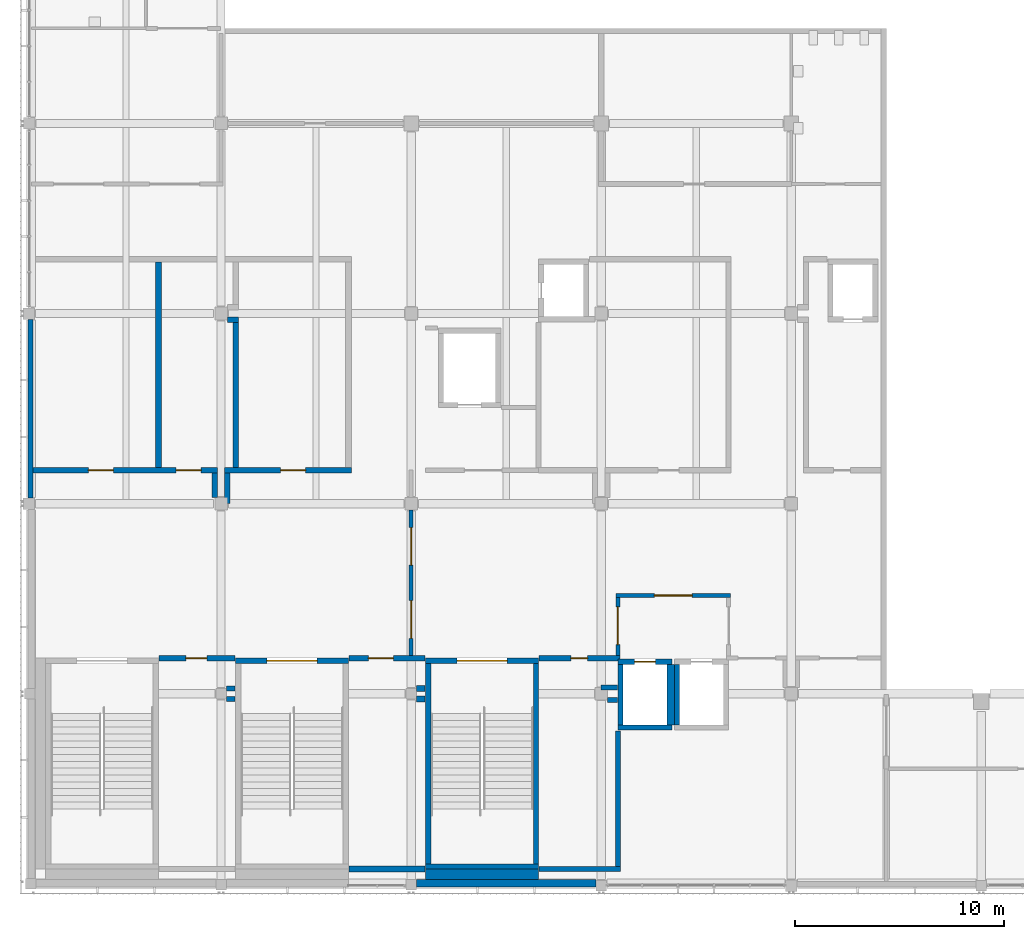
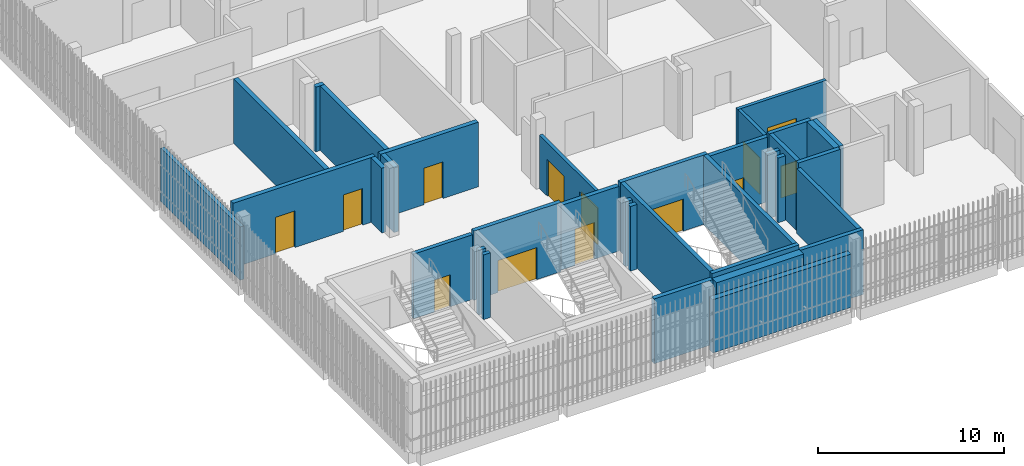
# One storey, part 66 of 124: 35 walls, 13 doors, 13 openings.
"""IFC4 building model written with IfcOpenShell, lengths in metres."""

import ifcopenshell
import ifcopenshell.guid

model = None  # the IFC model being written
_history = None  # IfcOwnerHistory: only IFC2X3 demands one
_inside = {}  # id of a spatial element -> (the spatial element, [elements in it])
_under = {}  # id of a project, library or spatial element -> (it, [spatial elements below it])
_declared = {}  # id of a project -> (the project, [libraries it declares])
_typed = {}  # id of a type object -> (the type object, [elements of that type])
_made_of = {}  # id of a material, layer set ... -> (it, [elements and type objects made of it])


def new_model(schema):
    """Start an empty IFC model of exactly this schema.

    Asked for "IFC4X3", IfcOpenShell would pick the latest addendum, in which some entities
    have other attributes; the version numbers below select the first issue.
    IFC2X3 requires an IfcOwnerHistory on every rooted entity: one is made here for all.
    """
    global model, _history
    if schema == "IFC4X3":
        model = ifcopenshell.file(schema_version=(4, 3, 0, 0))
    else:
        model = ifcopenshell.file(schema=schema)
    _inside.clear()
    _under.clear()
    _declared.clear()
    _typed.clear()
    _made_of.clear()
    _history = None
    if model.schema == "IFC2X3":
        org = make("IfcOrganization", Name="unknown")
        user = make(
            "IfcPersonAndOrganization",
            ThePerson=make("IfcPerson", FamilyName="unknown"),
            TheOrganization=org,
        )
        app = make(
            "IfcApplication",
            ApplicationDeveloper=org,
            Version="unknown",
            ApplicationFullName="unknown",
            ApplicationIdentifier="unknown",
        )
        _history = make(
            "IfcOwnerHistory",
            OwningUser=user,
            OwningApplication=app,
            ChangeAction="ADDED",
            CreationDate=0,
        )
    return model


def make(cls, **values):
    """One entity of the class cls with the attributes given. An attribute that is None is left unset."""
    return model.create_entity(
        cls, **{name: value for name, value in values.items() if value is not None}
    )


def rooted(cls, **values):
    """An entity with a GlobalId (a new one), such as an element, a storey or a relation."""
    return make(cls, GlobalId=ifcopenshell.guid.new(), OwnerHistory=_history, **values)


def si_unit(unit_type, name, prefix=None):
    """IfcSIUnit, for example si_unit("LENGTHUNIT", "METRE", prefix="MILLI")."""
    return make("IfcSIUnit", UnitType=unit_type, Prefix=prefix, Name=name)


def assignment(units):
    """IfcUnitAssignment: the units of a project."""
    return None if units is None else make("IfcUnitAssignment", Units=units)


def point(xyz):
    """IfcCartesianPoint."""
    return None if xyz is None else make("IfcCartesianPoint", Coordinates=xyz)


def direction(xyz):
    """IfcDirection."""
    return None if xyz is None else make("IfcDirection", DirectionRatios=xyz)


def frame(location, z_axis=None, x_axis=None):
    """IfcAxis2Placement3D, a coordinate frame: its origin and axes. An axis left out is left unset."""
    return make(
        "IfcAxis2Placement3D",
        Location=point(location),
        Axis=direction(z_axis),
        RefDirection=direction(x_axis),
    )


def frame_2d(location, x_axis=None):
    """IfcAxis2Placement2D, a coordinate frame in the plane: its origin and x axis."""
    return make(
        "IfcAxis2Placement2D", Location=point(location), RefDirection=direction(x_axis)
    )


def origin():
    """The frame at (0, 0, 0) with its axes left unset."""
    return frame((0.0, 0.0, 0.0))


def place(relative_to, where):
    """IfcLocalPlacement: puts the frame where relative to a parent placement (None: the world)."""
    return make(
        "IfcLocalPlacement", PlacementRelTo=relative_to, RelativePlacement=where
    )


def context(
    kind, dimensions, precision=None, world=None, true_north=None, identifier=None
):
    """IfcGeometricRepresentationContext, for example the 3D "Model" context."""
    return make(
        "IfcGeometricRepresentationContext",
        ContextIdentifier=identifier,
        ContextType=kind,
        CoordinateSpaceDimension=dimensions,
        Precision=precision,
        WorldCoordinateSystem=world,
        TrueNorth=true_north,
    )


def subcontext(parent, identifier, kind, view, scale=None):
    """IfcGeometricRepresentationSubContext, for example "Body" below "Model"."""
    return make(
        "IfcGeometricRepresentationSubContext",
        ContextIdentifier=identifier,
        ContextType=kind,
        ParentContext=parent,
        TargetScale=scale,
        TargetView=view,
    )


def project(units=None, contexts=None):
    """IfcProject with its units and contexts."""
    return rooted(
        "IfcProject",
        Name="project",
        RepresentationContexts=contexts,
        UnitsInContext=assignment(units),
    )


def spatial(cls, under=None, at=None, **own):
    """A site, building, storey or space (cls), placed at a placement, below another one or the project."""
    s = rooted(cls, ObjectPlacement=at, **own)
    if under is not None:
        _under.setdefault(under.id(), (under, []))[1].append(s)
    return s


def profile(cls, at=None, kind="AREA", **sizes):
    """A parametric profile (cls). Its sizes go by their IFC names, for example OverallWidth=200.0."""
    return make(cls, ProfileType=kind, Position=at, **sizes)


def rectangle(**sizes):
    """IfcRectangleProfileDef."""
    return profile("IfcRectangleProfileDef", **sizes)


def extrude(swept, where, along, depth):
    """IfcExtrudedAreaSolid: the profile swept, set in the frame where, extruded along a direction by depth."""
    return make(
        "IfcExtrudedAreaSolid",
        SweptArea=swept,
        Position=where,
        ExtrudedDirection=direction(along),
        Depth=depth,
    )


def shape(context_of_items, identifier, shape_type, items):
    """IfcShapeRepresentation: the items that make up one representation, for example the "Body"."""
    return make(
        "IfcShapeRepresentation",
        ContextOfItems=context_of_items,
        RepresentationIdentifier=identifier,
        RepresentationType=shape_type,
        Items=items,
    )


def material(Name=None, Category=None):
    """IfcMaterial."""
    return make("IfcMaterial", Name=Name, Category=Category)


def layer(
    of_material, thickness, ventilated=None, Name=None, Category=None, Priority=None
):
    """IfcMaterialLayer: one layer of a wall or slab, of a material (None: an air gap)."""
    return make(
        "IfcMaterialLayer",
        Material=of_material,
        LayerThickness=thickness,
        IsVentilated=ventilated,
        Name=Name,
        Category=Category,
        Priority=Priority,
    )


def layer_set(layers, Name=None):
    """IfcMaterialLayerSet."""
    return make("IfcMaterialLayerSet", MaterialLayers=layers, LayerSetName=Name)


def made_of(thing, what):
    """Note that an element or type object is made of a material, layer set ...; save() writes the relation."""
    if what is not None:
        _made_of.setdefault(what.id(), (what, []))[1].append(thing)
    return thing


def type_object(cls, material=None, **own):
    """A type object (cls), such as IfcWallType, which elements share."""
    return made_of(rooted(cls, **own), material)


def element(
    cls,
    number,
    at=None,
    inside=None,
    cuts=None,
    type_object=None,
    material=None,
    context=None,
    identifier="Body",
    shape_type=None,
    held_by="IfcProductDefinitionShape",
    body=None,
    shapes=None,
    **own,
):
    """One element of the class cls, such as IfcWall. Its Tag is "e" and its number.

    at: its placement. inside: the storey or other place that contains it. cuts: it is an
    opening in that element (IfcRelVoidsElement). A single representation is given by context,
    identifier, shape_type and body (its items); several are given by shapes. held_by: the class
    of the entity that holds the representations. save() writes the other relations.
    """
    e = rooted(cls, Tag="e%d" % number, ObjectPlacement=at, **own)
    if body is not None:
        shapes = [shape(context, identifier, shape_type, body)]
    if shapes is not None:
        e.Representation = make(held_by, Representations=shapes)
    if inside is not None:
        _inside.setdefault(inside.id(), (inside, []))[1].append(e)
    if cuts is not None:
        rooted(
            "IfcRelVoidsElement", RelatingBuildingElement=cuts, RelatedOpeningElement=e
        )
    if type_object is not None:
        _typed.setdefault(type_object.id(), (type_object, []))[1].append(e)
    return made_of(e, material)


def fill(opening, filler):
    """IfcRelFillsElement: the door or window that sits in an opening."""
    return rooted(
        "IfcRelFillsElement",
        RelatingOpeningElement=opening,
        RelatedBuildingElement=filler,
    )


def aggregate(whole, parts):
    """IfcRelAggregates: a whole, such as a stair, and the parts it consists of."""
    return rooted("IfcRelAggregates", RelatingObject=whole, RelatedObjects=parts)


def save(model, path):
    """Write the relations noted so far, then the file.

    IfcRelAggregates (storeys below a building ...), IfcRelContainedInSpatialStructure (elements
    in a storey), IfcRelDefinesByType, IfcRelAssociatesMaterial and IfcRelDeclares: one each for
    every whole, place, type object, material and project.
    """
    for whole, parts in _under.values():
        aggregate(whole, parts)
    for where, things in _inside.values():
        rooted(
            "IfcRelContainedInSpatialStructure",
            RelatedElements=things,
            RelatingStructure=where,
        )
    for kind, things in _typed.values():
        rooted("IfcRelDefinesByType", RelatedObjects=things, RelatingType=kind)
    for what, things in _made_of.values():
        rooted("IfcRelAssociatesMaterial", RelatedObjects=things, RelatingMaterial=what)
    for by, libraries in _declared.values():
        rooted("IfcRelDeclares", RelatingContext=by, RelatedDefinitions=libraries)
    model.write(path)


model = new_model("IFC4")

# Units and contexts
model_context = context("Model", 3, precision=1e-05, world=origin(), true_north=direction((0.0, 1.0)))
body_context = subcontext(model_context, "Body", "Model", "MODEL_VIEW")
ifc_project = project(units=[si_unit("LENGTHUNIT", "METRE"), si_unit("AREAUNIT", "SQUARE_METRE"), si_unit("VOLUMEUNIT", "CUBIC_METRE"), si_unit("PLANEANGLEUNIT", "RADIAN"), si_unit("MASSUNIT", "GRAM", prefix="KILO")], contexts=[model_context])

# Site, building, storey
site_placement = place(None, origin())
site = spatial("IfcSite", under=ifc_project, at=site_placement, CompositionType="ELEMENT")
building_placement = place(site_placement, origin())
building = spatial("IfcBuilding", under=site, at=building_placement, Name="Shirokan Park Arena", CompositionType="ELEMENT")
storey_placement = place(building_placement, frame((0.0, 0.0, 20.02001953125)))
storey = spatial("IfcBuildingStorey", under=building, at=storey_placement, Name="L04", CompositionType="ELEMENT", Elevation=20.02001953125)

# Walls
ifc_material_1 = material(Name="Plaster")
ifc_layer_1 = layer(ifc_material_1, 0.014892578125, Name="Plaster")
ifc_material_2 = material(Name="Concrete blockwork", Category="masonry")
ifc_layer_2 = layer(ifc_material_2, 0.219970703125, Name="Concrete blockwork 220")
ifc_layer_3 = layer(ifc_material_1, 0.014892578125, Name="Plaster")
ifc_layer_set_1 = layer_set([ifc_layer_1, ifc_layer_2, ifc_layer_3], Name="Plaster + Concrete blockwork 220")
wall_type_1 = type_object("IfcWallType", Name="Compartment wall 250", PredefinedType="SOLIDWALL", material=ifc_layer_set_1)
for number, where, z_axis, x_axis, name in (
    (1, (9.35009765625, 8.85009765625, 0.0), (0.0, 0.0, 1.0), (1.0, 0.0, 0.0), "Compartment wall 250 L04"),
    (2, (9.77001953125, 9.35009765625, 0.0), (0.0, 0.0, 1.0), (-1.0, 0.0, 0.0), "Compartment wall 250 L04"),
):
    element("IfcWall", number, at=place(storey_placement, frame(where, z_axis=z_axis, x_axis=x_axis)), inside=storey, type_object=wall_type_1, Name=name, PredefinedType="SOLIDWALL", context=body_context, shape_type="SweptSolid", body=[
        extrude(rectangle(XDim=0.419921875, YDim=0.25, at=frame_2d((0.2099609375, 0.0))), origin(), (0.0, 0.0, 1.0), 4.25),
    ])

# Wall, opening, door
wall_1_placement = place(storey_placement, frame((9.77001953125, 10.800048828125, 0.0), z_axis=(0.0, 0.0, 1.0), x_axis=(-1.0, 0.0, 0.0)))
wall_1 = element("IfcWall", 3, at=wall_1_placement, inside=storey, type_object=wall_type_1, Name="Compartment wall 250 L04", PredefinedType="SOLIDWALL", context=body_context, shape_type="SweptSolid", body=[
    extrude(rectangle(XDim=3.64013671875, YDim=0.25, at=frame_2d((1.820068359375, 0.0))), origin(), (0.0, 0.0, 1.0), 4.25),
])
opening_1_placement = place(wall_1_placement, frame((1.35009765625, 0.0, 0.0)))
opening_1 = element("IfcOpeningElement", 4, at=opening_1_placement, cuts=wall_1, Name="Opening D-4006", PredefinedType="OPENING", context=body_context, shape_type="SweptSolid", body=[
    extrude(rectangle(XDim=1.0, YDim=2.10009765625, at=frame_2d((0.5, 1.050048828125))), frame((0.0, 0.135009765625, 0.0), z_axis=(0.0, -1.0, 0.0), x_axis=(1.0, 0.0, 0.0)), (0.0, 0.0, 1.0), 0.27001953125),
])
ifc_material_3 = material(Name="Timber door set, fire resisting", Category="wood")
door_type_1 = type_object("IfcDoorType", Name="Door 1000 x 2100", OperationType="SINGLE_SWING_LEFT", PredefinedType="DOOR", material=ifc_material_3)
door_1_placement = place(opening_1_placement, origin())
door_1 = element("IfcDoor", 5, at=door_1_placement, inside=storey, type_object=door_type_1, Name="Door to Records Store 4.10 D-4006", OperationType="SINGLE_SWING_LEFT", OverallHeight=2.10009765625, OverallWidth=1.0, PredefinedType="DOOR", context=body_context, shape_type="SweptSolid", body=[
    extrude(rectangle(XDim=1.0, YDim=2.10009765625, at=frame_2d((0.5, 1.050048828125))), frame((0.0, 0.02490234375, 0.0), z_axis=(0.0, -1.0, 0.0), x_axis=(1.0, 0.0, 0.0)), (0.0, 0.0, 1.0), 0.050048828125),
])
fill(opening_1, door_1)

# Walls
wall_2_placement = place(storey_placement, frame((27.300048828125, 9.39990234375, 0.0), z_axis=(0.0, 0.0, 1.0), x_axis=(1.0, 0.0, 0.0)))
element("IfcWall", 6, at=wall_2_placement, inside=storey, type_object=wall_type_1, Name="Compartment wall 250 L04", PredefinedType="SOLIDWALL", context=body_context, shape_type="SweptSolid", body=[
    extrude(rectangle(XDim=0.77001953125, YDim=0.25, at=frame_2d((0.385009765625, 0.0))), origin(), (0.0, 0.0, 1.0), 4.25),
])
wall_3_placement = place(storey_placement, frame((27.60009765625, 8.800048828125, 0.0), z_axis=(0.0, 0.0, 1.0), x_axis=(1.0, 0.0, 0.0)))
element("IfcWall", 7, at=wall_3_placement, inside=storey, type_object=wall_type_1, Name="Compartment wall 250 L04", PredefinedType="SOLIDWALL", context=body_context, shape_type="SweptSolid", body=[
    extrude(rectangle(XDim=0.469970703125, YDim=0.25, at=frame_2d((0.23486328125, 0.0))), origin(), (0.0, 0.0, 1.0), 4.25),
])
wall_4_placement = place(storey_placement, frame((28.10009765625, 7.320068359375, 0.0), z_axis=(0.0, 0.0, 1.0), x_axis=(0.0, -1.0, 0.0)))
element("IfcWall", 8, at=wall_4_placement, inside=storey, type_object=wall_type_1, Name="Compartment wall 250 L04", PredefinedType="SOLIDWALL", context=body_context, shape_type="SweptSolid", body=[
    extrude(rectangle(XDim=6.4951171875, YDim=0.25, at=frame_2d((3.24755859375, 0.0))), origin(), (0.0, 0.0, 1.0), 4.25),
])

# Wall, opening, door
wall_5_placement = place(storey_placement, frame((28.199951171875, 10.800048828125, 0.0), z_axis=(0.0, 0.0, 1.0), x_axis=(-1.0, 0.0, 0.0)))
wall_5 = element("IfcWall", 9, at=wall_5_placement, inside=storey, type_object=wall_type_1, Name="Compartment wall 250 L04", PredefinedType="SOLIDWALL", context=body_context, shape_type="SweptSolid", body=[
    extrude(rectangle(XDim=3.869873046875, YDim=0.25, at=frame_2d((1.93505859375, 0.0))), origin(), (0.0, 0.0, 1.0), 4.25),
])
opening_2_placement = place(wall_5_placement, frame((1.550048828125, 0.0, 0.0)))
opening_2 = element("IfcOpeningElement", 10, at=opening_2_placement, cuts=wall_5, Name="Opening D-4008", PredefinedType="OPENING", context=body_context, shape_type="SweptSolid", body=[
    extrude(rectangle(XDim=0.800048828125, YDim=2.10009765625, at=frame_2d((0.39990234375, 1.050048828125))), frame((0.0, 0.135009765625, 0.0), z_axis=(0.0, -1.0, 0.0), x_axis=(1.0, 0.0, 0.0)), (0.0, 0.0, 1.0), 0.27001953125),
])
door_type_2 = type_object("IfcDoorType", Name="Cleaner store door 800 x 2100", OperationType="SINGLE_SWING_LEFT", PredefinedType="DOOR", material=ifc_material_3)
door_2_placement = place(opening_2_placement, origin())
door_2 = element("IfcDoor", 11, at=door_2_placement, inside=storey, type_object=door_type_2, Name="Door to Cleaner's Store 4.12 D-4008", OperationType="SINGLE_SWING_LEFT", OverallHeight=2.10009765625, OverallWidth=0.800048828125, PredefinedType="DOOR", context=body_context, shape_type="SweptSolid", body=[
    extrude(rectangle(XDim=0.800048828125, YDim=2.10009765625, at=frame_2d((0.39990234375, 1.050048828125))), frame((0.0, 0.02490234375, 0.0), z_axis=(0.0, -1.0, 0.0), x_axis=(1.0, 0.0, 0.0)), (0.0, 0.0, 1.0), 0.050048828125),
])
fill(opening_2, door_2)

# Wall
wall_6_placement = place(storey_placement, frame((28.22509765625, 0.699951171875, 0.0), z_axis=(0.0, 0.0, 1.0), x_axis=(-1.0, 0.0, 0.0)))
element("IfcWall", 12, at=wall_6_placement, inside=storey, type_object=wall_type_1, Name="Compartment wall 250 L04", PredefinedType="SOLIDWALL", context=body_context, shape_type="SweptSolid", body=[
    extrude(rectangle(XDim=3.89501953125, YDim=0.25, at=frame_2d((1.947509765625, 0.0))), origin(), (0.0, 0.0, 1.0), 4.25),
])

# Wall, openings, doors
ifc_material_4 = material(Name="Gypsum board")
ifc_layer_4 = layer(ifc_material_4, 0.02490234375, Name="Gypsum board, two layers")
ifc_material_5 = material(Name="Mineral wool insulation")
ifc_layer_5 = layer(ifc_material_5, 0.14990234375, Name="Mineral wool insulation")
ifc_layer_6 = layer(ifc_material_4, 0.02490234375, Name="Gypsum board, two layers")
ifc_layer_set_2 = layer_set([ifc_layer_4, ifc_layer_5, ifc_layer_6], Name="Gypsum board, two layers + Mineral wool insulation")
wall_type_2 = type_object("IfcWallType", Name="Corridor wall 200", PredefinedType="PARTITIONING", material=ifc_layer_set_2)
wall_7_placement = place(storey_placement, frame((18.199951171875, 17.89990234375, 0.0), z_axis=(0.0, 0.0, 1.0), x_axis=(0.0, -1.0, 0.0)))
wall_7 = element("IfcWall", 13, at=wall_7_placement, inside=storey, type_object=wall_type_2, Name="Corridor wall 200 L04", PredefinedType="PARTITIONING", context=body_context, shape_type="SweptSolid", body=[
    extrude(rectangle(XDim=6.96240234375, YDim=0.199951171875, at=frame_2d((3.481201171875, 0.0))), origin(), (0.0, 0.0, 1.0), 3.5),
])
opening_3_placement = place(wall_7_placement, frame((0.85009765625, 0.0, 0.0)))
opening_3 = element("IfcOpeningElement", 14, at=opening_3_placement, cuts=wall_7, Name="Opening D-4073", PredefinedType="OPENING", context=body_context, shape_type="SweptSolid", body=[
    extrude(rectangle(XDim=1.800048828125, YDim=2.39990234375, at=frame_2d((0.89990234375, 1.199951171875))), frame((0.0, 0.10986328125, 0.0), z_axis=(0.0, -1.0, 0.0), x_axis=(1.0, 0.0, 0.0)), (0.0, 0.0, 1.0), 0.219970703125),
])
opening_4_placement = place(wall_7_placement, frame((4.35009765625, 0.0, 0.0)))
opening_4 = element("IfcOpeningElement", 15, at=opening_4_placement, cuts=wall_7, Name="Opening D-4074", PredefinedType="OPENING", context=body_context, shape_type="SweptSolid", body=[
    extrude(rectangle(XDim=1.800048828125, YDim=2.39990234375, at=frame_2d((0.89990234375, 1.199951171875))), frame((0.0, 0.10986328125, 0.0), z_axis=(0.0, -1.0, 0.0), x_axis=(1.0, 0.0, 0.0)), (0.0, 0.0, 1.0), 0.219970703125),
])
ifc_material_6 = material(Name="Glazed steel door set, fire resisting", Category="steel")
door_type_3 = type_object("IfcDoorType", Name="Lift lobby door 1800 x 2400", OperationType="DOUBLE_DOOR_SINGLE_SWING", PredefinedType="DOOR", material=ifc_material_6)
door_3_placement = place(opening_3_placement, origin())
door_3 = element("IfcDoor", 16, at=door_3_placement, inside=storey, type_object=door_type_3, Name="Door between Staff Foyer 1.4.1 and Operations Gallery 1.4.2 D-4073", OperationType="DOUBLE_DOOR_SINGLE_SWING", OverallHeight=2.39990234375, OverallWidth=1.800048828125, PredefinedType="DOOR", context=body_context, shape_type="SweptSolid", body=[
    extrude(rectangle(XDim=1.800048828125, YDim=2.39990234375, at=frame_2d((0.89990234375, 1.199951171875))), frame((0.0, 0.02490234375, 0.0), z_axis=(0.0, -1.0, 0.0), x_axis=(1.0, 0.0, 0.0)), (0.0, 0.0, 1.0), 0.050048828125),
])
fill(opening_3, door_3)
door_4_placement = place(opening_4_placement, origin())
door_4 = element("IfcDoor", 17, at=door_4_placement, inside=storey, type_object=door_type_3, Name="Door between Staff Foyer 1.4.1 and Operations Gallery 1.4.2 D-4074", OperationType="DOUBLE_DOOR_SINGLE_SWING", OverallHeight=2.39990234375, OverallWidth=1.800048828125, PredefinedType="DOOR", context=body_context, shape_type="SweptSolid", body=[
    extrude(rectangle(XDim=1.800048828125, YDim=2.39990234375, at=frame_2d((0.89990234375, 1.199951171875))), frame((0.0, 0.02490234375, 0.0), z_axis=(0.0, -1.0, 0.0), x_axis=(1.0, 0.0, 0.0)), (0.0, 0.0, 1.0), 0.050048828125),
])
fill(opening_4, door_4)

# Wall, opening, door
wall_8_placement = place(storey_placement, frame((28.10009765625, 13.699951171875, 0.0), z_axis=(0.0, 0.0, 1.0), x_axis=(0.0, -1.0, 0.0)))
wall_8 = element("IfcWall", 18, at=wall_8_placement, inside=storey, type_object=wall_type_2, Name="Corridor wall 200 L04", PredefinedType="PARTITIONING", context=body_context, shape_type="SweptSolid", body=[
    extrude(rectangle(XDim=2.77490234375, YDim=0.199951171875, at=frame_2d((1.387451171875, 0.0))), origin(), (0.0, 0.0, 1.0), 4.25),
])
opening_5_placement = place(wall_8_placement, frame((0.449951171875, 0.0, 0.0)))
opening_5 = element("IfcOpeningElement", 19, at=opening_5_placement, cuts=wall_8, Name="Opening D-4077", PredefinedType="OPENING", context=body_context, shape_type="SweptSolid", body=[
    extrude(rectangle(XDim=1.800048828125, YDim=2.39990234375, at=frame_2d((0.89990234375, 1.199951171875))), frame((0.0, 0.10986328125, 0.0), z_axis=(0.0, -1.0, 0.0), x_axis=(1.0, 0.0, 0.0)), (0.0, 0.0, 1.0), 0.219970703125),
])
door_5_placement = place(opening_5_placement, origin())
door_5 = element("IfcDoor", 20, at=door_5_placement, inside=storey, type_object=door_type_3, Name="Door between Operations Gallery 1.4.2 and Lift Lobby 1.4 D-4077", OperationType="DOUBLE_DOOR_SINGLE_SWING", OverallHeight=2.39990234375, OverallWidth=1.800048828125, PredefinedType="DOOR", context=body_context, shape_type="SweptSolid", body=[
    extrude(rectangle(XDim=1.800048828125, YDim=2.39990234375, at=frame_2d((0.89990234375, 1.199951171875))), frame((0.0, 0.02490234375, 0.0), z_axis=(0.0, -1.0, 0.0), x_axis=(1.0, 0.0, 0.0)), (0.0, 0.0, 1.0), 0.050048828125),
])
fill(opening_5, door_5)

wall_9_placement = place(storey_placement, frame((33.5, 13.800048828125, 0.0), z_axis=(0.0, 0.0, 1.0), x_axis=(-1.0, 0.0, 0.0)))
wall_9 = element("IfcWall", 21, at=wall_9_placement, inside=storey, type_object=wall_type_2, Name="Corridor wall 200 L04", PredefinedType="PARTITIONING", context=body_context, shape_type="SweptSolid", body=[
    extrude(rectangle(XDim=5.5, YDim=0.199951171875, at=frame_2d((2.75, 0.0))), origin(), (0.0, 0.0, 1.0), 4.25),
])
opening_6_placement = place(wall_9_placement, frame((1.85009765625, 0.0, 0.0)))
opening_6 = element("IfcOpeningElement", 22, at=opening_6_placement, cuts=wall_9, Name="Opening D-4075", PredefinedType="OPENING", context=body_context, shape_type="SweptSolid", body=[
    extrude(rectangle(XDim=1.800048828125, YDim=2.39990234375, at=frame_2d((0.89990234375, 1.199951171875))), frame((0.0, 0.10986328125, 0.0), z_axis=(0.0, -1.0, 0.0), x_axis=(1.0, 0.0, 0.0)), (0.0, 0.0, 1.0), 0.219970703125),
])
door_6_placement = place(opening_6_placement, origin())
door_6 = element("IfcDoor", 23, at=door_6_placement, inside=storey, type_object=door_type_3, Name="Door between Operations Gallery 1.4.2 and Lift Lobby 1.4 D-4075", OperationType="DOUBLE_DOOR_SINGLE_SWING", OverallHeight=2.39990234375, OverallWidth=1.800048828125, PredefinedType="DOOR", context=body_context, shape_type="SweptSolid", body=[
    extrude(rectangle(XDim=1.800048828125, YDim=2.39990234375, at=frame_2d((0.89990234375, 1.199951171875))), frame((0.0, 0.02490234375, 0.0), z_axis=(0.0, -1.0, 0.0), x_axis=(1.0, 0.0, 0.0)), (0.0, 0.0, 1.0), 0.050048828125),
])
fill(opening_6, door_6)

# Wall
ifc_material_7 = material(Name="Cedar cladding")
ifc_layer_7 = layer(ifc_material_7, 0.030029296875, Name="Cedar cladding")
ifc_layer_8 = layer(ifc_material_5, 0.10009765625, Name="Mineral wool insulation")
ifc_material_8 = material(Name="Concrete C35", Category="concrete")
ifc_layer_9 = layer(ifc_material_8, 0.199951171875, Name="Concrete C35")
ifc_material_9 = material(Name="Gypsum board lining")
ifc_layer_10 = layer(ifc_material_9, 0.02001953125, Name="Gypsum board lining")
ifc_layer_set_3 = layer_set([ifc_layer_7, ifc_layer_8, ifc_layer_9, ifc_layer_10], Name="Cedar cladding + Mineral wool insulation + Concrete C35 + Gypsum board lining")
wall_type_3 = type_object("IfcWallType", Name="Insulated tower wall 350", PredefinedType="SOLIDWALL", material=ifc_layer_set_3)
wall_10_placement = place(storey_placement, frame((18.449951171875, 0.02490234375, 0.0), z_axis=(0.0, 0.0, 1.0), x_axis=(1.0, 0.0, 0.0)))
element("IfcWall", 24, at=wall_10_placement, inside=storey, type_object=wall_type_3, Name="South facade wall bay 3 L04", PredefinedType="SOLIDWALL", context=body_context, shape_type="SweptSolid", body=[
    extrude(rectangle(XDim=8.60009765625, YDim=0.35009765625, at=frame_2d((4.300048828125, 0.0))), origin(), (0.0, 0.0, 1.0), 3.5),
])

# Wall, openings, doors
ifc_layer_11 = layer(ifc_material_1, 0.012451171875, Name="Plaster")
ifc_layer_12 = layer(ifc_material_2, 0.25, Name="Concrete blockwork 250")
ifc_layer_13 = layer(ifc_material_1, 0.012451171875, Name="Plaster")
ifc_layer_set_4 = layer_set([ifc_layer_11, ifc_layer_12, ifc_layer_13], Name="Plaster + Concrete blockwork 250")
wall_type_4 = type_object("IfcWallType", Name="Plant room wall 275", PredefinedType="SOLIDWALL", material=ifc_layer_set_4)
wall_11_placement = place(storey_placement, frame((0.10009765625, 19.800048828125, 0.0), z_axis=(0.0, 0.0, 1.0), x_axis=(1.0, 0.0, 0.0)))
wall_11 = element("IfcWall", 25, at=wall_11_placement, inside=storey, type_object=wall_type_4, Name="Plant room wall 275 L04", PredefinedType="SOLIDWALL", context=body_context, shape_type="SweptSolid", body=[
    extrude(rectangle(XDim=8.83740234375, YDim=0.27490234375, at=frame_2d((4.418701171875, 0.0))), origin(), (0.0, 0.0, 1.0), 4.25),
])
opening_7_placement = place(wall_11_placement, frame((6.85009765625, 0.0, 0.0)))
opening_7 = element("IfcOpeningElement", 26, at=opening_7_placement, cuts=wall_11, Name="Opening D-4001", PredefinedType="OPENING", context=body_context, shape_type="SweptSolid", body=[
    extrude(rectangle(XDim=1.199951171875, YDim=2.39990234375, at=frame_2d((0.60009765625, 1.199951171875))), frame((0.0, 0.1474609375, 0.0), z_axis=(0.0, -1.0, 0.0), x_axis=(1.0, 0.0, 0.0)), (0.0, 0.0, 1.0), 0.294921875),
])
opening_8_placement = place(wall_11_placement, frame((2.64990234375, 0.0, 0.0)))
opening_8 = element("IfcOpeningElement", 27, at=opening_8_placement, cuts=wall_11, Name="Opening D-4004", PredefinedType="OPENING", context=body_context, shape_type="SweptSolid", body=[
    extrude(rectangle(XDim=1.199951171875, YDim=2.39990234375, at=frame_2d((0.60009765625, 1.199951171875))), frame((0.0, 0.1474609375, 0.0), z_axis=(0.0, -1.0, 0.0), x_axis=(1.0, 0.0, 0.0)), (0.0, 0.0, 1.0), 0.294921875),
])
ifc_material_10 = material(Name="Louvred steel door set, fire resisting", Category="steel")
door_type_4 = type_object("IfcDoorType", Name="Plant room door 1200 x 2400", OperationType="SINGLE_SWING_LEFT", PredefinedType="DOOR", material=ifc_material_10)
door_7_placement = place(opening_7_placement, origin())
door_7 = element("IfcDoor", 28, at=door_7_placement, inside=storey, type_object=door_type_4, Name="Door to Communications Room 4.17 D-4001", OperationType="SINGLE_SWING_LEFT", OverallHeight=2.39990234375, OverallWidth=1.199951171875, PredefinedType="DOOR", context=body_context, shape_type="SweptSolid", body=[
    extrude(rectangle(XDim=1.199951171875, YDim=2.39990234375, at=frame_2d((0.60009765625, 1.199951171875))), frame((0.0, 0.02490234375, 0.0), z_axis=(0.0, -1.0, 0.0), x_axis=(1.0, 0.0, 0.0)), (0.0, 0.0, 1.0), 0.050048828125),
])
fill(opening_7, door_7)
door_8_placement = place(opening_8_placement, origin())
door_8 = element("IfcDoor", 29, at=door_8_placement, inside=storey, type_object=door_type_4, Name="Door to Electrical Room 4.15 D-4004", OperationType="SINGLE_SWING_RIGHT", OverallHeight=2.39990234375, OverallWidth=1.199951171875, PredefinedType="DOOR", context=body_context, shape_type="SweptSolid", body=[
    extrude(rectangle(XDim=1.199951171875, YDim=2.39990234375, at=frame_2d((0.60009765625, 1.199951171875))), frame((0.0, 0.02490234375, 0.0), z_axis=(0.0, -1.0, 0.0), x_axis=(1.0, 0.0, 0.0)), (0.0, 0.0, 1.0), 0.050048828125),
])
fill(opening_8, door_8)

# Walls
wall_12_placement = place(storey_placement, frame((6.10009765625, 29.762451171875, 0.0), z_axis=(0.0, 0.0, 1.0), x_axis=(0.0, -1.0, 0.0)))
element("IfcWall", 30, at=wall_12_placement, inside=storey, type_object=wall_type_4, Name="Plant room wall 275 L04", PredefinedType="SOLIDWALL", context=body_context, shape_type="SweptSolid", body=[
    extrude(rectangle(XDim=9.824951171875, YDim=0.27490234375, at=frame_2d((4.91259765625, 0.0))), origin(), (0.0, 0.0, 1.0), 4.25),
])
wall_13_placement = place(storey_placement, frame((8.800048828125, 19.66259765625, 0.0), z_axis=(0.0, 0.0, 1.0), x_axis=(0.0, -1.0, 0.0)))
element("IfcWall", 31, at=wall_13_placement, inside=storey, type_object=wall_type_4, Name="Plant room wall 275 L04", PredefinedType="SOLIDWALL", context=body_context, shape_type="SweptSolid", body=[
    extrude(rectangle(XDim=1.16259765625, YDim=0.27490234375, at=frame_2d((0.581298828125, 0.0))), origin(), (0.0, 0.0, 1.0), 4.25),
])

# Wall, opening, door
wall_14_placement = place(storey_placement, frame((9.262451171875, 19.800048828125, 0.0), z_axis=(0.0, 0.0, 1.0), x_axis=(1.0, 0.0, 0.0)))
wall_14 = element("IfcWall", 32, at=wall_14_placement, inside=storey, type_object=wall_type_4, Name="Plant room wall 275 L04", PredefinedType="SOLIDWALL", context=body_context, shape_type="SweptSolid", body=[
    extrude(rectangle(XDim=6.074951171875, YDim=0.27490234375, at=frame_2d((3.03759765625, 0.0))), origin(), (0.0, 0.0, 1.0), 4.25),
])
opening_9_placement = place(wall_14_placement, frame((2.6875, 0.0, 0.0)))
opening_9 = element("IfcOpeningElement", 33, at=opening_9_placement, cuts=wall_14, Name="Opening D-4005", PredefinedType="OPENING", context=body_context, shape_type="SweptSolid", body=[
    extrude(rectangle(XDim=1.199951171875, YDim=2.39990234375, at=frame_2d((0.60009765625, 1.199951171875))), frame((0.0, 0.1474609375, 0.0), z_axis=(0.0, -1.0, 0.0), x_axis=(1.0, 0.0, 0.0)), (0.0, 0.0, 1.0), 0.294921875),
])
door_9_placement = place(opening_9_placement, origin())
door_9 = element("IfcDoor", 34, at=door_9_placement, inside=storey, type_object=door_type_4, Name="Door to Equipment Room 4.16 D-4005", OperationType="SINGLE_SWING_RIGHT", OverallHeight=2.39990234375, OverallWidth=1.199951171875, PredefinedType="DOOR", context=body_context, shape_type="SweptSolid", body=[
    extrude(rectangle(XDim=1.199951171875, YDim=2.39990234375, at=frame_2d((0.60009765625, 1.199951171875))), frame((0.0, 0.02490234375, 0.0), z_axis=(0.0, -1.0, 0.0), x_axis=(1.0, 0.0, 0.0)), (0.0, 0.0, 1.0), 0.050048828125),
])
fill(opening_9, door_9)

# Walls
wall_15_placement = place(storey_placement, frame((9.39990234375, 18.199951171875, 0.0), z_axis=(0.0, 0.0, 1.0), x_axis=(0.0, 1.0, 0.0)))
element("IfcWall", 35, at=wall_15_placement, inside=storey, type_object=wall_type_4, Name="Plant room wall 275 L04", PredefinedType="SOLIDWALL", context=body_context, shape_type="SweptSolid", body=[
    extrude(rectangle(XDim=1.462646484375, YDim=0.27490234375, at=frame_2d((0.7314453125, 0.0))), origin(), (0.0, 0.0, 1.0), 4.25),
])
wall_16_placement = place(storey_placement, frame((9.800048828125, 19.9375, 0.0), z_axis=(0.0, 0.0, 1.0), x_axis=(0.0, 1.0, 0.0)))
element("IfcWall", 36, at=wall_16_placement, inside=storey, type_object=wall_type_4, Name="Plant room wall 275 L04", PredefinedType="SOLIDWALL", context=body_context, shape_type="SweptSolid", body=[
    extrude(rectangle(XDim=6.925048828125, YDim=0.27490234375, at=frame_2d((3.46240234375, 0.0))), origin(), (0.0, 0.0, 1.0), 4.25),
])
wall_17_placement = place(storey_placement, frame((9.9375, 27.0, 0.0), z_axis=(0.0, 0.0, 1.0), x_axis=(-1.0, 0.0, 0.0)))
element("IfcWall", 37, at=wall_17_placement, inside=storey, type_object=wall_type_4, Name="Plant room wall 275 L04", PredefinedType="SOLIDWALL", context=body_context, shape_type="SweptSolid", body=[
    extrude(rectangle(XDim=0.53759765625, YDim=0.27490234375, at=frame_2d((0.268798828125, 0.0))), origin(), (0.0, 0.0, 1.0), 4.25),
])

# Wall, opening, door
wall_18_placement = place(storey_placement, frame((15.22998046875, 10.800048828125, 0.0), z_axis=(0.0, 0.0, 1.0), x_axis=(1.0, 0.0, 0.0)))
wall_18 = element("IfcWall", 38, at=wall_18_placement, inside=storey, type_object=wall_type_4, Name="Plant room wall 275 L04", PredefinedType="SOLIDWALL", context=body_context, shape_type="SweptSolid", body=[
    extrude(rectangle(XDim=3.64013671875, YDim=0.27490234375, at=frame_2d((1.820068359375, 0.0))), origin(), (0.0, 0.0, 1.0), 4.25),
])
opening_10_placement = place(wall_18_placement, frame((0.919921875, 0.0, 0.0)))
opening_10 = element("IfcOpeningElement", 39, at=opening_10_placement, cuts=wall_18, Name="Opening D-4007", PredefinedType="OPENING", context=body_context, shape_type="SweptSolid", body=[
    extrude(rectangle(XDim=1.199951171875, YDim=2.39990234375, at=frame_2d((0.60009765625, 1.199951171875))), frame((0.0, 0.1474609375, 0.0), z_axis=(0.0, -1.0, 0.0), x_axis=(1.0, 0.0, 0.0)), (0.0, 0.0, 1.0), 0.294921875),
])
door_10_placement = place(opening_10_placement, origin())
door_10 = element("IfcDoor", 40, at=door_10_placement, inside=storey, type_object=door_type_4, Name="Door to Electrical Room 4.11 D-4007", OperationType="SINGLE_SWING_RIGHT", OverallHeight=2.39990234375, OverallWidth=1.199951171875, PredefinedType="DOOR", context=body_context, shape_type="SweptSolid", body=[
    extrude(rectangle(XDim=1.199951171875, YDim=2.39990234375, at=frame_2d((0.60009765625, 1.199951171875))), frame((0.0, 0.02490234375, 0.0), z_axis=(0.0, -1.0, 0.0), x_axis=(1.0, 0.0, 0.0)), (0.0, 0.0, 1.0), 0.050048828125),
])
fill(opening_10, door_10)

# Walls
wall_19_placement = place(storey_placement, frame((18.449951171875, 8.85009765625, 0.0), z_axis=(0.0, 0.0, 1.0), x_axis=(1.0, 0.0, 0.0)))
element("IfcWall", 41, at=wall_19_placement, inside=storey, type_object=wall_type_4, Name="Plant room wall 275 L04", PredefinedType="SOLIDWALL", context=body_context, shape_type="SweptSolid", body=[
    extrude(rectangle(XDim=0.420166015625, YDim=0.27490234375, at=frame_2d((0.2099609375, 0.0))), origin(), (0.0, 0.0, 1.0), 4.25),
])
wall_20_placement = place(storey_placement, frame((18.8701171875, 0.699951171875, 0.0), z_axis=(0.0, 0.0, 1.0), x_axis=(-1.0, 0.0, 0.0)))
element("IfcWall", 42, at=wall_20_placement, inside=storey, type_object=wall_type_4, Name="Plant room wall 275 L04", PredefinedType="SOLIDWALL", context=body_context, shape_type="SweptSolid", body=[
    extrude(rectangle(XDim=3.64013671875, YDim=0.27490234375, at=frame_2d((1.820068359375, 0.0))), origin(), (0.0, 0.0, 1.0), 4.25),
])
wall_21_placement = place(storey_placement, frame((18.8701171875, 9.35009765625, 0.0), z_axis=(0.0, 0.0, 1.0), x_axis=(-1.0, 0.0, 0.0)))
element("IfcWall", 43, at=wall_21_placement, inside=storey, type_object=wall_type_4, Name="Plant room wall 275 L04", PredefinedType="SOLIDWALL", context=body_context, shape_type="SweptSolid", body=[
    extrude(rectangle(XDim=0.420166015625, YDim=0.27490234375, at=frame_2d((0.2099609375, 0.0))), origin(), (0.0, 0.0, 1.0), 4.25),
])
ifc_material_11 = material(Name="Concrete C40/50 precast", Category="concrete")
ifc_layer_14 = layer(ifc_material_11, 0.10009765625, Name="Concrete C40/50 precast")
ifc_layer_15 = layer(ifc_material_5, 0.10009765625, Name="Mineral wool insulation")
ifc_layer_16 = layer(ifc_material_9, 0.050048828125, Name="Gypsum board lining")
ifc_layer_set_5 = layer_set([ifc_layer_14, ifc_layer_15, ifc_layer_16], Name="Concrete C40/50 precast + Mineral wool insulation + Gypsum board lining")
wall_type_5 = type_object("IfcWallType", Name="Precast concrete panel wall 250", PredefinedType="SOLIDWALL", material=ifc_layer_set_5)
wall_22_placement = place(storey_placement, frame((-0.02490234375, 27.02490234375, 0.0), z_axis=(0.0, 0.0, 1.0), x_axis=(0.0, -1.0, 0.0)))
element("IfcWall", 44, at=wall_22_placement, inside=storey, type_object=wall_type_5, Name="West facade wall bay 10 L04", PredefinedType="SOLIDWALL", context=body_context, shape_type="SweptSolid", body=[
    extrude(rectangle(XDim=8.5498046875, YDim=0.25, at=frame_2d((4.27490234375, 0.0))), origin(), (0.0, 0.0, 1.0), 3.5),
])
ifc_material_12 = material(Name="Concrete C40/50", Category="concrete")
ifc_layer_17 = layer(ifc_material_12, 0.25)
ifc_layer_set_6 = layer_set([ifc_layer_17], Name="Concrete C40/50 250 mm")
wall_type_6 = type_object("IfcWallType", Name="RC shear wall 250", PredefinedType="SHEAR", material=ifc_layer_set_6)
wall_23_placement = place(storey_placement, frame((30.699951171875, 7.47509765625, 0.0), z_axis=(0.0, 0.0, 1.0), x_axis=(-1.0, 0.0, 0.0)))
element("IfcWall", 45, at=wall_23_placement, inside=storey, type_object=wall_type_6, Name="Shaft wall Passenger Lift 1.1 S L04", PredefinedType="SHEAR", context=body_context, shape_type="SweptSolid", body=[
    extrude(rectangle(XDim=2.599853515625, YDim=0.25, at=frame_2d((1.2998046875, 0.0))), origin(), (0.0, 0.0, 1.0), 4.550048828125),
])

# Wall, opening, door
wall_24_placement = place(storey_placement, frame((30.699951171875, 10.625, 0.0), z_axis=(0.0, 0.0, 1.0), x_axis=(-1.0, 0.0, 0.0)))
wall_24 = element("IfcWall", 46, at=wall_24_placement, inside=storey, type_object=wall_type_6, Name="Shaft wall Passenger Lift 1.1 N L04", PredefinedType="SHEAR", context=body_context, shape_type="SweptSolid", body=[
    extrude(rectangle(XDim=2.599853515625, YDim=0.25, at=frame_2d((1.2998046875, 0.0))), origin(), (0.0, 0.0, 1.0), 4.550048828125),
])
opening_11_placement = place(wall_24_placement, frame((0.800048828125, 0.0, 0.0)))
opening_11 = element("IfcOpeningElement", 47, at=opening_11_placement, cuts=wall_24, Name="Opening LD05", PredefinedType="OPENING", context=body_context, shape_type="SweptSolid", body=[
    extrude(rectangle(XDim=1.0, YDim=2.10009765625, at=frame_2d((0.5, 1.050048828125))), frame((0.0, 0.135009765625, 0.0), z_axis=(0.0, -1.0, 0.0), x_axis=(1.0, 0.0, 0.0)), (0.0, 0.0, 1.0), 0.27001953125),
])
ifc_material_13 = material(Name="Stainless steel", Category="steel")
door_type_5 = type_object("IfcDoorType", Name="Lift landing door 1000x2100", OperationType="DOUBLE_DOOR_SLIDING", PredefinedType="DOOR", material=ifc_material_13)
door_11_placement = place(opening_11_placement, origin())
door_11 = element("IfcDoor", 48, at=door_11_placement, inside=storey, type_object=door_type_5, Name="Lift landing door Passenger Lift 1.1 L04", OperationType="DOUBLE_DOOR_SLIDING", OverallHeight=2.10009765625, OverallWidth=1.0, PredefinedType="DOOR", context=body_context, shape_type="SweptSolid", body=[
    extrude(rectangle(XDim=1.0, YDim=2.10009765625, at=frame_2d((0.5, 1.050048828125))), frame((0.0, 0.02490234375, 0.0), z_axis=(0.0, -1.0, 0.0), x_axis=(1.0, 0.0, 0.0)), (0.0, 0.0, 1.0), 0.050048828125),
])
fill(opening_11, door_11)

# Walls
for number, where, z_axis, x_axis, name in (
    (49, (28.22509765625, 10.5, 0.0), (0.0, 0.0, 1.0), (0.0, -1.0, 0.0), "Shaft wall Passenger Lift 1.1 W L04"),
    (50, (30.925048828125, 10.5, 0.0), (0.0, 0.0, 1.0), (0.0, -1.0, 0.0), "Shaft wall Passenger Lift 1.2 W L04"),
):
    element("IfcWall", number, at=place(storey_placement, frame(where, z_axis=z_axis, x_axis=x_axis)), inside=storey, type_object=wall_type_6, Name=name, PredefinedType="SHEAR", context=body_context, shape_type="SweptSolid", body=[
        extrude(rectangle(XDim=2.89990234375, YDim=0.25, at=frame_2d((1.449951171875, 0.0))), origin(), (0.0, 0.0, 1.0), 4.550048828125),
    ])

# Wall, opening, door
wall_25_placement = place(storey_placement, frame((15.199951171875, 10.675048828125, 0.0), z_axis=(0.0, 0.0, 1.0), x_axis=(-1.0, 0.0, 0.0)))
wall_25 = element("IfcWall", 51, at=wall_25_placement, inside=storey, type_object=wall_type_6, Name="Shaft wall Exit Stair 1.B N L04", PredefinedType="SHEAR", context=body_context, shape_type="SweptSolid", body=[
    extrude(rectangle(XDim=5.39990234375, YDim=0.25, at=frame_2d((2.699951171875, 0.0))), origin(), (0.0, 0.0, 1.0), 4.550048828125),
])
opening_12_placement = place(wall_25_placement, frame((1.5, 0.0, 0.0)))
opening_12 = element("IfcOpeningElement", 52, at=opening_12_placement, cuts=wall_25, Name="Opening D-4128", PredefinedType="OPENING", context=body_context, shape_type="SweptSolid", body=[
    extrude(rectangle(XDim=2.39990234375, YDim=2.10009765625, at=frame_2d((1.199951171875, 1.050048828125))), frame((0.0, 0.135009765625, 0.0), z_axis=(0.0, -1.0, 0.0), x_axis=(1.0, 0.0, 0.0)), (0.0, 0.0, 1.0), 0.27001953125),
])
ifc_material_14 = material(Name="Steel door set, fire resisting", Category="steel")
door_type_6 = type_object("IfcDoorType", Name="Stair door 2400 x 2100", OperationType="DOUBLE_DOOR_SINGLE_SWING", PredefinedType="DOOR", material=ifc_material_14)
door_12_placement = place(opening_12_placement, origin())
door_12 = element("IfcDoor", 53, at=door_12_placement, inside=storey, type_object=door_type_6, Name="Stair door Exit Stair 1.B D-4128", OperationType="DOUBLE_DOOR_SINGLE_SWING", OverallHeight=2.10009765625, OverallWidth=2.39990234375, PredefinedType="DOOR", context=body_context, shape_type="SweptSolid", body=[
    extrude(rectangle(XDim=2.39990234375, YDim=2.10009765625, at=frame_2d((1.199951171875, 1.050048828125))), frame((0.0, 0.02490234375, 0.0), z_axis=(0.0, -1.0, 0.0), x_axis=(1.0, 0.0, 0.0)), (0.0, 0.0, 1.0), 0.050048828125),
])
fill(opening_12, door_12)

# Wall
wall_26_placement = place(storey_placement, frame((24.300048828125, 0.824951171875, 0.0), z_axis=(0.0, 0.0, 1.0), x_axis=(-1.0, 0.0, 0.0)))
element("IfcWall", 54, at=wall_26_placement, inside=storey, type_object=wall_type_6, Name="Shaft wall Exit Stair 1.C S L04", PredefinedType="SHEAR", context=body_context, shape_type="SweptSolid", body=[
    extrude(rectangle(XDim=5.400146484375, YDim=0.25, at=frame_2d((2.7001953125, 0.0))), origin(), (0.0, 0.0, 1.0), 4.550048828125),
])

# Wall, opening, door
wall_27_placement = place(storey_placement, frame((24.300048828125, 10.675048828125, 0.0), z_axis=(0.0, 0.0, 1.0), x_axis=(-1.0, 0.0, 0.0)))
wall_27 = element("IfcWall", 55, at=wall_27_placement, inside=storey, type_object=wall_type_6, Name="Shaft wall Exit Stair 1.C N L04", PredefinedType="SHEAR", context=body_context, shape_type="SweptSolid", body=[
    extrude(rectangle(XDim=5.400146484375, YDim=0.25, at=frame_2d((2.7001953125, 0.0))), origin(), (0.0, 0.0, 1.0), 4.550048828125),
])
opening_13_placement = place(wall_27_placement, frame((1.5, 0.0, 0.0)))
opening_13 = element("IfcOpeningElement", 56, at=opening_13_placement, cuts=wall_27, Name="Opening D-4129", PredefinedType="OPENING", context=body_context, shape_type="SweptSolid", body=[
    extrude(rectangle(XDim=2.39990234375, YDim=2.10009765625, at=frame_2d((1.199951171875, 1.050048828125))), frame((0.0, 0.135009765625, 0.0), z_axis=(0.0, -1.0, 0.0), x_axis=(1.0, 0.0, 0.0)), (0.0, 0.0, 1.0), 0.27001953125),
])
door_13_placement = place(opening_13_placement, origin())
door_13 = element("IfcDoor", 57, at=door_13_placement, inside=storey, type_object=door_type_6, Name="Stair door Exit Stair 1.C D-4129", OperationType="DOUBLE_DOOR_SINGLE_SWING", OverallHeight=2.10009765625, OverallWidth=2.39990234375, PredefinedType="DOOR", context=body_context, shape_type="SweptSolid", body=[
    extrude(rectangle(XDim=2.39990234375, YDim=2.10009765625, at=frame_2d((1.199951171875, 1.050048828125))), frame((0.0, 0.02490234375, 0.0), z_axis=(0.0, -1.0, 0.0), x_axis=(1.0, 0.0, 0.0)), (0.0, 0.0, 1.0), 0.050048828125),
])
fill(opening_13, door_13)

# Walls
for number, where, z_axis, x_axis, name in (
    (58, (19.02490234375, 10.550048828125, 0.0), (0.0, 0.0, 1.0), (0.0, -1.0, 0.0), "Shaft wall Exit Stair 1.C W L04"),
    (59, (24.175048828125, 10.550048828125, 0.0), (0.0, 0.0, 1.0), (0.0, -1.0, 0.0), "Shaft wall Exit Stair 1.C E L04"),
):
    element("IfcWall", number, at=place(storey_placement, frame(where, z_axis=z_axis, x_axis=x_axis)), inside=storey, type_object=wall_type_6, Name=name, PredefinedType="SHEAR", context=body_context, shape_type="SweptSolid", body=[
        extrude(rectangle(XDim=9.60009765625, YDim=0.25, at=frame_2d((4.800048828125, 0.0))), origin(), (0.0, 0.0, 1.0), 4.550048828125),
    ])
ifc_layer_18 = layer(ifc_material_12, 0.35009765625)
ifc_layer_set_7 = layer_set([ifc_layer_18], Name="Concrete C40/50 350 mm")
wall_type_7 = type_object("IfcWallType", Name="RC shear wall 350", PredefinedType="SHEAR", material=ifc_layer_set_7)
wall_28_placement = place(storey_placement, frame((30.625, 10.5, 0.0), z_axis=(0.0, 0.0, 1.0), x_axis=(0.0, -1.0, 0.0)))
element("IfcWall", 60, at=wall_28_placement, inside=storey, type_object=wall_type_7, Name="Shaft wall Passenger Lift 1.1 E L04", PredefinedType="SHEAR", context=body_context, shape_type="SweptSolid", body=[
    extrude(rectangle(XDim=2.89990234375, YDim=0.35009765625, at=frame_2d((1.449951171875, 0.0))), origin(), (0.0, 0.0, 1.0), 4.550048828125),
])
ifc_layer_19 = layer(ifc_material_8, 0.5)
ifc_layer_set_8 = layer_set([ifc_layer_19], Name="Concrete C35 500 mm")
wall_type_8 = type_object("IfcWallType", Name="Shaft infill wall 500", PredefinedType="SOLIDWALL", material=ifc_layer_set_8)
wall_29_placement = place(storey_placement, frame((18.89990234375, 0.449951171875, 0.0), z_axis=(0.0, 0.0, 1.0), x_axis=(1.0, 0.0, 0.0)))
element("IfcWall", 61, at=wall_29_placement, inside=storey, type_object=wall_type_8, Name="Shaft infill wall L04", PredefinedType="SOLIDWALL", context=body_context, shape_type="SweptSolid", body=[
    extrude(rectangle(XDim=5.400146484375, YDim=0.5, at=frame_2d((2.7001953125, 0.0))), origin(), (0.0, 0.0, 1.0), 4.25),
])

save(model, "model.ifc")
